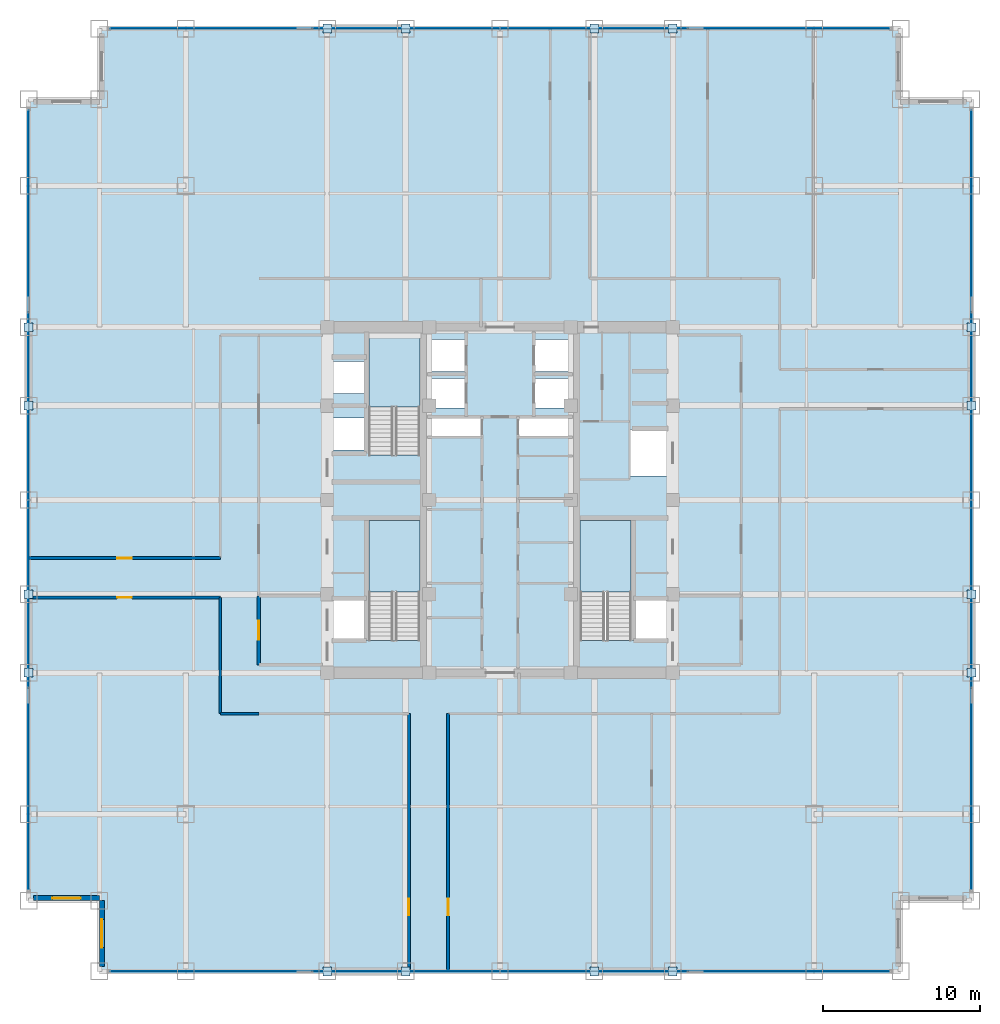
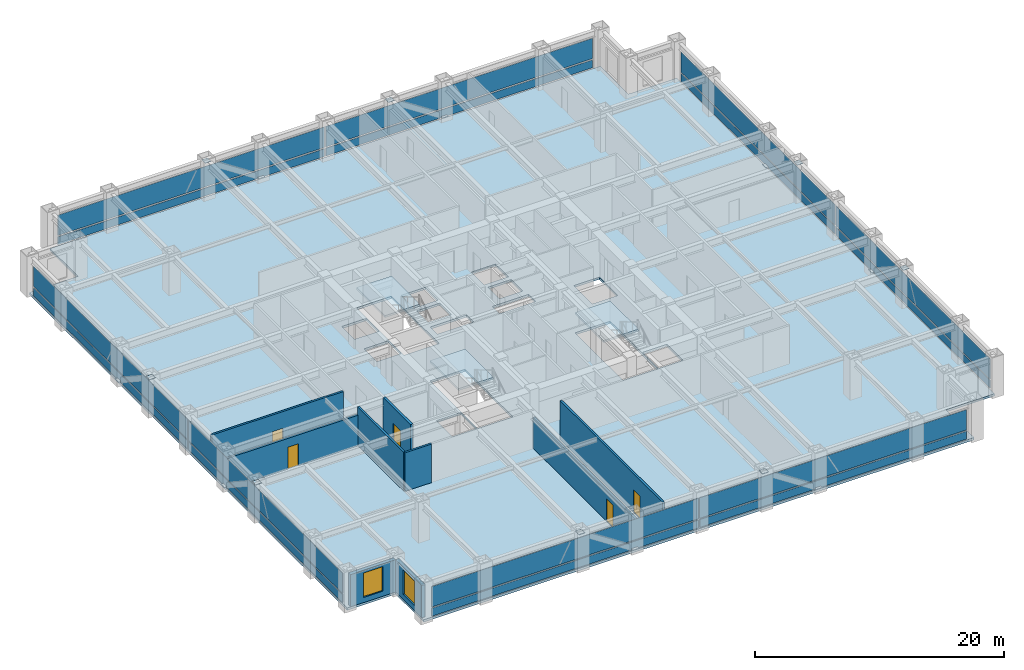
# One storey, part 19 of 24: 32 plates, 9 walls, 5 doors, 4 slabs, 2 windows, 7 openings, 7 elements without a shape of their own.
"""IFC4 building model written with IfcOpenShell, lengths in metres."""

import ifcopenshell
import ifcopenshell.guid

model = None  # the IFC model being written
_history = None  # IfcOwnerHistory: only IFC2X3 demands one
_inside = {}  # id of a spatial element -> (the spatial element, [elements in it])
_under = {}  # id of a project, library or spatial element -> (it, [spatial elements below it])
_declared = {}  # id of a project -> (the project, [libraries it declares])
_typed = {}  # id of a type object -> (the type object, [elements of that type])
_made_of = {}  # id of a material, layer set ... -> (it, [elements and type objects made of it])


def new_model(schema):
    """Start an empty IFC model of exactly this schema.

    Asked for "IFC4X3", IfcOpenShell would pick the latest addendum, in which some entities
    have other attributes; the version numbers below select the first issue.
    IFC2X3 requires an IfcOwnerHistory on every rooted entity: one is made here for all.
    """
    global model, _history
    if schema == "IFC4X3":
        model = ifcopenshell.file(schema_version=(4, 3, 0, 0))
    else:
        model = ifcopenshell.file(schema=schema)
    _inside.clear()
    _under.clear()
    _declared.clear()
    _typed.clear()
    _made_of.clear()
    _history = None
    if model.schema == "IFC2X3":
        org = make("IfcOrganization", Name="unknown")
        user = make(
            "IfcPersonAndOrganization",
            ThePerson=make("IfcPerson", FamilyName="unknown"),
            TheOrganization=org,
        )
        app = make(
            "IfcApplication",
            ApplicationDeveloper=org,
            Version="unknown",
            ApplicationFullName="unknown",
            ApplicationIdentifier="unknown",
        )
        _history = make(
            "IfcOwnerHistory",
            OwningUser=user,
            OwningApplication=app,
            ChangeAction="ADDED",
            CreationDate=0,
        )
    return model


def make(cls, **values):
    """One entity of the class cls with the attributes given. An attribute that is None is left unset."""
    return model.create_entity(
        cls, **{name: value for name, value in values.items() if value is not None}
    )


def rooted(cls, **values):
    """An entity with a GlobalId (a new one), such as an element, a storey or a relation."""
    return make(cls, GlobalId=ifcopenshell.guid.new(), OwnerHistory=_history, **values)


def si_unit(unit_type, name, prefix=None):
    """IfcSIUnit, for example si_unit("LENGTHUNIT", "METRE", prefix="MILLI")."""
    return make("IfcSIUnit", UnitType=unit_type, Prefix=prefix, Name=name)


def assignment(units):
    """IfcUnitAssignment: the units of a project."""
    return None if units is None else make("IfcUnitAssignment", Units=units)


def point(xyz):
    """IfcCartesianPoint."""
    return None if xyz is None else make("IfcCartesianPoint", Coordinates=xyz)


def direction(xyz):
    """IfcDirection."""
    return None if xyz is None else make("IfcDirection", DirectionRatios=xyz)


def frame(location, z_axis=None, x_axis=None):
    """IfcAxis2Placement3D, a coordinate frame: its origin and axes. An axis left out is left unset."""
    return make(
        "IfcAxis2Placement3D",
        Location=point(location),
        Axis=direction(z_axis),
        RefDirection=direction(x_axis),
    )


def frame_2d(location, x_axis=None):
    """IfcAxis2Placement2D, a coordinate frame in the plane: its origin and x axis."""
    return make(
        "IfcAxis2Placement2D", Location=point(location), RefDirection=direction(x_axis)
    )


def origin():
    """The frame at (0, 0, 0) with its axes left unset."""
    return frame((0.0, 0.0, 0.0))


def origin_2d():
    """The frame at (0, 0) in the plane with its x axis left unset."""
    return frame_2d((0.0, 0.0))


def place(relative_to, where):
    """IfcLocalPlacement: puts the frame where relative to a parent placement (None: the world)."""
    return make(
        "IfcLocalPlacement", PlacementRelTo=relative_to, RelativePlacement=where
    )


def context(
    kind, dimensions, precision=None, world=None, true_north=None, identifier=None
):
    """IfcGeometricRepresentationContext, for example the 3D "Model" context."""
    return make(
        "IfcGeometricRepresentationContext",
        ContextIdentifier=identifier,
        ContextType=kind,
        CoordinateSpaceDimension=dimensions,
        Precision=precision,
        WorldCoordinateSystem=world,
        TrueNorth=true_north,
    )


def subcontext(parent, identifier, kind, view, scale=None):
    """IfcGeometricRepresentationSubContext, for example "Body" below "Model"."""
    return make(
        "IfcGeometricRepresentationSubContext",
        ContextIdentifier=identifier,
        ContextType=kind,
        ParentContext=parent,
        TargetScale=scale,
        TargetView=view,
    )


def project(units=None, contexts=None):
    """IfcProject with its units and contexts."""
    return rooted(
        "IfcProject",
        Name="project",
        RepresentationContexts=contexts,
        UnitsInContext=assignment(units),
    )


def spatial(cls, under=None, at=None, **own):
    """A site, building, storey or space (cls), placed at a placement, below another one or the project."""
    s = rooted(cls, ObjectPlacement=at, **own)
    if under is not None:
        _under.setdefault(under.id(), (under, []))[1].append(s)
    return s


def polyline(points):
    """IfcPolyline through the points."""
    return make("IfcPolyline", Points=[point(p) for p in points])


def profile(cls, at=None, kind="AREA", **sizes):
    """A parametric profile (cls). Its sizes go by their IFC names, for example OverallWidth=200.0."""
    return make(cls, ProfileType=kind, Position=at, **sizes)


def rectangle(**sizes):
    """IfcRectangleProfileDef."""
    return profile("IfcRectangleProfileDef", **sizes)


def outline(outer, holes=None, kind="AREA"):
    """IfcArbitraryClosedProfileDef: a profile drawn as a closed curve; with holes, ...WithVoids."""
    if holes is None:
        return make("IfcArbitraryClosedProfileDef", ProfileType=kind, OuterCurve=outer)
    return make(
        "IfcArbitraryProfileDefWithVoids",
        ProfileType=kind,
        OuterCurve=outer,
        InnerCurves=holes,
    )


def extrude(swept, where, along, depth):
    """IfcExtrudedAreaSolid: the profile swept, set in the frame where, extruded along a direction by depth."""
    return make(
        "IfcExtrudedAreaSolid",
        SweptArea=swept,
        Position=where,
        ExtrudedDirection=direction(along),
        Depth=depth,
    )


def shape(context_of_items, identifier, shape_type, items):
    """IfcShapeRepresentation: the items that make up one representation, for example the "Body"."""
    return make(
        "IfcShapeRepresentation",
        ContextOfItems=context_of_items,
        RepresentationIdentifier=identifier,
        RepresentationType=shape_type,
        Items=items,
    )


def source(mapping_origin, context_of_items, identifier, shape_type, items):
    """IfcRepresentationMap: a shape defined once, which mapped items show again and again."""
    return make(
        "IfcRepresentationMap",
        MappingOrigin=mapping_origin,
        MappedRepresentation=shape(context_of_items, identifier, shape_type, items),
    )


def transform(
    local_origin,
    x_axis=None,
    y_axis=None,
    z_axis=None,
    scale=None,
    scale2=None,
    scale3=None,
    uniform=True,
):
    """IfcCartesianTransformationOperator3D, or its non-uniform kind. x_axis, y_axis, z_axis: its Axis1, 2, 3."""
    if uniform:
        return make(
            "IfcCartesianTransformationOperator3D",
            Axis1=direction(x_axis),
            Axis2=direction(y_axis),
            LocalOrigin=point(local_origin),
            Scale=scale,
            Axis3=direction(z_axis),
        )
    return make(
        "IfcCartesianTransformationOperator3DnonUniform",
        Axis1=direction(x_axis),
        Axis2=direction(y_axis),
        LocalOrigin=point(local_origin),
        Scale=scale,
        Axis3=direction(z_axis),
        Scale2=scale2,
        Scale3=scale3,
    )


def mapped(mapping_source, mapping_target):
    """IfcMappedItem: shows the shape of a source again, moved by a transform."""
    return make(
        "IfcMappedItem", MappingSource=mapping_source, MappingTarget=mapping_target
    )


def material(Name=None, Category=None):
    """IfcMaterial."""
    return make("IfcMaterial", Name=Name, Category=Category)


def layer(
    of_material, thickness, ventilated=None, Name=None, Category=None, Priority=None
):
    """IfcMaterialLayer: one layer of a wall or slab, of a material (None: an air gap)."""
    return make(
        "IfcMaterialLayer",
        Material=of_material,
        LayerThickness=thickness,
        IsVentilated=ventilated,
        Name=Name,
        Category=Category,
        Priority=Priority,
    )


def layer_set(layers, Name=None):
    """IfcMaterialLayerSet."""
    return make("IfcMaterialLayerSet", MaterialLayers=layers, LayerSetName=Name)


def made_of(thing, what):
    """Note that an element or type object is made of a material, layer set ...; save() writes the relation."""
    if what is not None:
        _made_of.setdefault(what.id(), (what, []))[1].append(thing)
    return thing


def type_object(cls, material=None, **own):
    """A type object (cls), such as IfcWallType, which elements share."""
    return made_of(rooted(cls, **own), material)


def element(
    cls,
    number,
    at=None,
    inside=None,
    cuts=None,
    type_object=None,
    material=None,
    context=None,
    identifier="Body",
    shape_type=None,
    held_by="IfcProductDefinitionShape",
    body=None,
    shapes=None,
    **own,
):
    """One element of the class cls, such as IfcWall. Its Tag is "e" and its number.

    at: its placement. inside: the storey or other place that contains it. cuts: it is an
    opening in that element (IfcRelVoidsElement). A single representation is given by context,
    identifier, shape_type and body (its items); several are given by shapes. held_by: the class
    of the entity that holds the representations. save() writes the other relations.
    """
    e = rooted(cls, Tag="e%d" % number, ObjectPlacement=at, **own)
    if body is not None:
        shapes = [shape(context, identifier, shape_type, body)]
    if shapes is not None:
        e.Representation = make(held_by, Representations=shapes)
    if inside is not None:
        _inside.setdefault(inside.id(), (inside, []))[1].append(e)
    if cuts is not None:
        rooted(
            "IfcRelVoidsElement", RelatingBuildingElement=cuts, RelatedOpeningElement=e
        )
    if type_object is not None:
        _typed.setdefault(type_object.id(), (type_object, []))[1].append(e)
    return made_of(e, material)


def fill(opening, filler):
    """IfcRelFillsElement: the door or window that sits in an opening."""
    return rooted(
        "IfcRelFillsElement",
        RelatingOpeningElement=opening,
        RelatedBuildingElement=filler,
    )


def aggregate(whole, parts):
    """IfcRelAggregates: a whole, such as a stair, and the parts it consists of."""
    return rooted("IfcRelAggregates", RelatingObject=whole, RelatedObjects=parts)


def save(model, path):
    """Write the relations noted so far, then the file.

    IfcRelAggregates (storeys below a building ...), IfcRelContainedInSpatialStructure (elements
    in a storey), IfcRelDefinesByType, IfcRelAssociatesMaterial and IfcRelDeclares: one each for
    every whole, place, type object, material and project.
    """
    for whole, parts in _under.values():
        aggregate(whole, parts)
    for where, things in _inside.values():
        rooted(
            "IfcRelContainedInSpatialStructure",
            RelatedElements=things,
            RelatingStructure=where,
        )
    for kind, things in _typed.values():
        rooted("IfcRelDefinesByType", RelatedObjects=things, RelatingType=kind)
    for what, things in _made_of.values():
        rooted("IfcRelAssociatesMaterial", RelatedObjects=things, RelatingMaterial=what)
    for by, libraries in _declared.values():
        rooted("IfcRelDeclares", RelatingContext=by, RelatedDefinitions=libraries)
    model.write(path)


model = new_model("IFC4")

# Units and contexts
model_context = context("Model", 3, precision=1e-05, world=origin(), true_north=direction((0.0, 1.0)))
body_context = subcontext(model_context, "Body", "Model", "MODEL_VIEW")
ifc_project = project(units=[si_unit("LENGTHUNIT", "METRE"), si_unit("AREAUNIT", "SQUARE_METRE"), si_unit("VOLUMEUNIT", "CUBIC_METRE"), si_unit("PLANEANGLEUNIT", "RADIAN"), si_unit("MASSUNIT", "GRAM", prefix="KILO")], contexts=[model_context])

# Site, building, storey
site_placement = place(None, origin())
site = spatial("IfcSite", under=ifc_project, at=site_placement, CompositionType="ELEMENT")
building_placement = place(site_placement, origin())
building = spatial("IfcBuilding", under=site, at=building_placement, Name="Khorayat Bourse Tower", CompositionType="ELEMENT")
storey_placement = place(building_placement, frame((0.0, 0.0, 167.10009765625)))
storey = spatial("IfcBuildingStorey", under=building, at=storey_placement, Name="L38", CompositionType="ELEMENT", Elevation=167.10009765625)

# Stair, slab
ifc_material_1 = material(Name="Concrete C40/50", Category="concrete")
stair_type = type_object("IfcStairType", Name="STR-CORE-1550", PredefinedType="HALF_TURN_STAIR", material=ifc_material_1)
stair_1_placement = place(storey_placement, origin())
stair_1 = element("IfcStair", 1, at=stair_1_placement, inside=storey, type_object=stair_type, Name="L38 Exit Stair ST-1", PredefinedType="HALF_TURN_STAIR")
ifc_layer_1 = layer(ifc_material_1, 0.199951171875)
ifc_layer_set_1 = layer_set([ifc_layer_1], Name="Concrete C40/50")
slab_type_1 = type_object("IfcSlabType", Name="SLB-LANDING-200", PredefinedType="LANDING", material=ifc_layer_set_1)
slab_1_placement = place(storey_placement, frame((0.0, 0.0, 1.7998046875)))
slab_1 = element("IfcSlab", 2, at=slab_1_placement, type_object=slab_type_1, Name="ST-1 landing 1", PredefinedType="LANDING", context=body_context, shape_type="SweptSolid", body=[
    extrude(outline(polyline([(-5.10009765625, -5.8701171875), (-5.10009765625, -1.300048828125), (-8.35009765625, -1.300048828125), (-8.35009765625, -5.8701171875), (-5.10009765625, -5.8701171875)])), origin(), (0.0, 0.0, 1.0), 0.2001953125),
])
aggregate(stair_1, [slab_1])

stair_2_placement = place(storey_placement, origin())
stair_2 = element("IfcStair", 3, at=stair_2_placement, inside=storey, type_object=stair_type, Name="L38 Exit Stair ST-2", PredefinedType="HALF_TURN_STAIR")
slab_2_placement = place(storey_placement, frame((0.0, 0.0, 1.7998046875)))
slab_2 = element("IfcSlab", 4, at=slab_2_placement, type_object=slab_type_1, Name="ST-2 landing 1", PredefinedType="LANDING", context=body_context, shape_type="SweptSolid", body=[
    extrude(outline(polyline([(-5.10009765625, 5.929931640625), (-5.10009765625, 10.5), (-8.35009765625, 10.5), (-8.35009765625, 5.929931640625), (-5.10009765625, 5.929931640625)])), origin(), (0.0, 0.0, 1.0), 0.2001953125),
])
aggregate(stair_2, [slab_2])

stair_3_placement = place(storey_placement, origin())
stair_3 = element("IfcStair", 5, at=stair_3_placement, inside=storey, type_object=stair_type, Name="L38 Exit Stair ST-3", PredefinedType="HALF_TURN_STAIR")
slab_3_placement = place(storey_placement, frame((0.0, 0.0, 1.7998046875)))
slab_3 = element("IfcSlab", 6, at=slab_3_placement, type_object=slab_type_1, Name="ST-3 landing 1", PredefinedType="LANDING", context=body_context, shape_type="SweptSolid", body=[
    extrude(outline(polyline([(8.35009765625, -5.8701171875), (8.35009765625, -1.300048828125), (5.10009765625, -1.300048828125), (5.10009765625, -5.8701171875), (8.35009765625, -5.8701171875)])), origin(), (0.0, 0.0, 1.0), 0.2001953125),
])
aggregate(stair_3, [slab_3])

# Slab
ifc_layer_2 = layer(ifc_material_1, 0.219970703125)
ifc_layer_set_2 = layer_set([ifc_layer_2], Name="Concrete C40/50")
slab_type_2 = type_object("IfcSlabType", Name="SLB-OFFICE-220", PredefinedType="FLOOR", material=ifc_layer_set_2)
slab_4_placement = place(storey_placement, frame((0.0, 0.0, -0.22021484375)))
element("IfcSlab", 7, at=slab_4_placement, inside=storey, type_object=slab_type_2, Name="L38 Main Floor Slab", PredefinedType="FLOOR", context=body_context, shape_type="SweptSolid", body=[
    extrude(outline(polyline([(-25.5, -30.0), (25.5, -30.0), (25.5, -25.5), (30.0, -25.5), (30.0, 25.5), (25.5, 25.5), (25.5, 30.0), (-25.5, 30.0), (-25.5, 25.5), (-30.0, 25.5), (-30.0, -25.5), (-25.5, -25.5), (-25.5, -30.0)]), holes=[polyline([(-8.35009765625, -8.945068359375), (-5.10009765625, -8.945068359375), (-5.10009765625, -1.300048828125), (-8.35009765625, -1.300048828125), (-8.35009765625, -8.945068359375)]), polyline([(-8.35009765625, 2.85498046875), (-5.10009765625, 2.85498046875), (-5.10009765625, 10.5), (-8.35009765625, 10.5), (-8.35009765625, 2.85498046875)]), polyline([(5.10009765625, -8.945068359375), (8.35009765625, -8.945068359375), (8.35009765625, -1.300048828125), (5.10009765625, -1.300048828125), (5.10009765625, -8.945068359375)]), polyline([(-4.3798828125, 8.169921875), (-2.1201171875, 8.169921875), (-2.1201171875, 10.22998046875), (-4.3798828125, 10.22998046875), (-4.3798828125, 8.169921875)]), polyline([(2.1201171875, 8.169921875), (4.3798828125, 8.169921875), (4.3798828125, 10.22998046875), (2.1201171875, 10.22998046875), (2.1201171875, 8.169921875)]), polyline([(-4.3798828125, 5.8701171875), (-2.219970703125, 5.8701171875), (-2.219970703125, 7.72998046875), (-4.3798828125, 7.72998046875), (-4.3798828125, 5.8701171875)]), polyline([(2.219970703125, 5.8701171875), (4.3798828125, 5.8701171875), (4.3798828125, 7.72998046875), (2.219970703125, 7.72998046875), (2.219970703125, 5.8701171875)]), polyline([(-10.679931640625, 3.169921875), (-8.419921875, 3.169921875), (-8.419921875, 5.22998046875), (-10.679931640625, 5.22998046875), (-10.679931640625, 3.169921875)]), polyline([(-10.679931640625, 6.77001953125), (-8.419921875, 6.77001953125), (-8.419921875, 8.830078125), (-10.679931640625, 8.830078125), (-10.679931640625, 6.77001953125)]), polyline([(-10.679931640625, -8.929931640625), (-8.419921875, -8.929931640625), (-8.419921875, -6.3701171875), (-10.679931640625, -6.3701171875), (-10.679931640625, -8.929931640625)]), polyline([(8.419921875, -8.929931640625), (10.679931640625, -8.929931640625), (10.679931640625, -6.3701171875), (8.419921875, -6.3701171875), (8.419921875, -8.929931640625)]), polyline([(8.320068359375, 1.52001953125), (10.679931640625, 1.52001953125), (10.679931640625, 4.47998046875), (8.320068359375, 4.47998046875), (8.320068359375, 1.52001953125)]), polyline([(-4.56005859375, 4.080078125), (-1.18994140625, 4.080078125), (-1.18994140625, 5.219970703125), (-4.56005859375, 5.219970703125), (-4.56005859375, 4.080078125)]), polyline([(1.18994140625, 4.080078125), (4.56005859375, 4.080078125), (4.56005859375, 5.219970703125), (1.18994140625, 5.219970703125), (1.18994140625, 4.080078125)])]), origin(), (0.0, 0.0, 1.0), 0.22021484375),
])

# Plates
ifc_material_2 = material(Name="Steel EN 10025-2 S355J2", Category="steel")
ifc_layer_3 = layer(ifc_material_2, 0.02490234375)
ifc_layer_set_3 = layer_set([ifc_layer_3], Name="Steel EN 10025-2 S355J2")
plate_type_1 = type_object("IfcPlateType", Name="PLT-ENDCAP-25", PredefinedType="SHEET", material=ifc_layer_set_3)
shared_shape_1 = source(origin(), body_context, "Body", "SweptSolid", [
    extrude(rectangle(XDim=0.56005859375, YDim=0.56005859375, at=origin_2d()), origin(), (0.0, 0.0, 1.0), 0.02490234375),
])
for number, where, z_axis, x_axis, name in (
    (8, (-11.0, -30.0, 3.517333984375), (0.0, 0.0, 1.0), (1.0, 0.0, 0.0), "L38 Perimeter Brace End Plate 001"),
    (9, (-6.0, -30.0, 0.237548828125), (0.0, 0.0, 1.0), (1.0, 0.0, 0.0), "L38 Perimeter Brace End Plate 002"),
    (10, (6.0, -30.0, 3.517333984375), (0.0, 0.0, 1.0), (1.0, 0.0, 0.0), "L38 Perimeter Brace End Plate 003"),
    (11, (11.0, -30.0, 0.237548828125), (0.0, 0.0, 1.0), (1.0, 0.0, 0.0), "L38 Perimeter Brace End Plate 004"),
    (12, (-11.0, 30.0, 3.517333984375), (0.0, 0.0, 1.0), (1.0, 0.0, 0.0), "L38 Perimeter Brace End Plate 005"),
    (13, (-6.0, 30.0, 0.237548828125), (0.0, 0.0, 1.0), (1.0, 0.0, 0.0), "L38 Perimeter Brace End Plate 006"),
    (14, (6.0, 30.0, 3.517333984375), (0.0, 0.0, 1.0), (1.0, 0.0, 0.0), "L38 Perimeter Brace End Plate 007"),
    (15, (11.0, 30.0, 0.237548828125), (0.0, 0.0, 1.0), (1.0, 0.0, 0.0), "L38 Perimeter Brace End Plate 008"),
    (16, (-30.0, -11.0, 3.517333984375), (0.0, 0.0, 1.0), (1.0, 0.0, 0.0), "L38 Perimeter Brace End Plate 009"),
    (17, (-30.0, -6.0, 0.237548828125), (0.0, 0.0, 1.0), (1.0, 0.0, 0.0), "L38 Perimeter Brace End Plate 010"),
    (18, (-30.0, 6.0, 3.517333984375), (0.0, 0.0, 1.0), (1.0, 0.0, 0.0), "L38 Perimeter Brace End Plate 011"),
    (19, (-30.0, 11.0, 0.237548828125), (0.0, 0.0, 1.0), (1.0, 0.0, 0.0), "L38 Perimeter Brace End Plate 012"),
    (20, (30.0, -11.0, 3.517333984375), (0.0, 0.0, 1.0), (1.0, 0.0, 0.0), "L38 Perimeter Brace End Plate 013"),
    (21, (30.0, -6.0, 0.237548828125), (0.0, 0.0, 1.0), (1.0, 0.0, 0.0), "L38 Perimeter Brace End Plate 014"),
    (22, (30.0, 6.0, 3.517333984375), (0.0, 0.0, 1.0), (1.0, 0.0, 0.0), "L38 Perimeter Brace End Plate 015"),
    (23, (30.0, 11.0, 0.237548828125), (0.0, 0.0, 1.0), (1.0, 0.0, 0.0), "L38 Perimeter Brace End Plate 016"),
):
    element("IfcPlate", number, at=place(storey_placement, frame(where, z_axis=z_axis, x_axis=x_axis)), inside=storey, type_object=plate_type_1, Name=name, PredefinedType="SHEET", context=body_context, shape_type="MappedRepresentation", body=[
        mapped(shared_shape_1, transform((0.0, 0.0, 0.0), scale=1.0)),
    ])

# Curtain wall, plates
ifc_material_3 = material(Name="Aluminium EN AW-6063 T6", Category="aluminium")
curtain_wall_type = type_object("IfcCurtainWallType", Name="CW-SYS-03", PredefinedType="NOTDEFINED", material=ifc_material_3)
curtain_wall_1_placement = place(storey_placement, origin())
curtain_wall_1 = element("IfcCurtainWall", 24, at=curtain_wall_1_placement, inside=storey, type_object=curtain_wall_type, Name="L38 Curtain Wall CW-L38-S1", PredefinedType="NOTDEFINED")
ifc_material_4 = material(Name="Honed desert limestone insulated spandrel", Category="masonry")
ifc_layer_4 = layer(ifc_material_4, 0.06494140625)
ifc_layer_set_4 = layer_set([ifc_layer_4], Name="Honed desert limestone insulated spandrel")
plate_type_2 = type_object("IfcPlateType", Name="CWP-SPAND-03", PredefinedType="CURTAIN_PANEL", material=ifc_layer_set_4)
shared_shape_2 = source(origin(), body_context, "Body", "SweptSolid", [
    extrude(rectangle(XDim=24.719970703125, YDim=0.06494140625, at=origin_2d()), origin(), (0.0, 0.0, 1.0), 0.77001953125),
])
plate_1_placement = place(storey_placement, frame((-12.419921875, -30.0, 0.119873046875), z_axis=(0.0, 0.0, 1.0), x_axis=(1.0, 0.0, 0.0)))
plate_1 = element("IfcPlate", 25, at=plate_1_placement, type_object=plate_type_2, Name="CW-L38-S1 Spandrel Panel 1-1", PredefinedType="CURTAIN_PANEL", context=body_context, shape_type="MappedRepresentation", body=[
    mapped(shared_shape_2, transform((0.0, 0.0, 0.0), scale=1.0)),
])
plate_2_placement = place(storey_placement, frame((12.419921875, -30.0, 0.119873046875), z_axis=(0.0, 0.0, 1.0), x_axis=(1.0, 0.0, 0.0)))
plate_2 = element("IfcPlate", 26, at=plate_2_placement, type_object=plate_type_2, Name="CW-L38-S1 Spandrel Panel 2-1", PredefinedType="CURTAIN_PANEL", context=body_context, shape_type="MappedRepresentation", body=[
    mapped(shared_shape_2, transform((0.0, 0.0, 0.0), scale=1.0)),
])

curtain_wall_2_placement = place(storey_placement, origin())
curtain_wall_2 = element("IfcCurtainWall", 27, at=curtain_wall_2_placement, inside=storey, type_object=curtain_wall_type, Name="L38 Curtain Wall CW-L38-N1", PredefinedType="NOTDEFINED")
plate_3_placement = place(storey_placement, frame((-12.419921875, 30.0, 0.119873046875), z_axis=(0.0, 0.0, 1.0), x_axis=(1.0, 0.0, 0.0)))
plate_3 = element("IfcPlate", 28, at=plate_3_placement, type_object=plate_type_2, Name="CW-L38-N1 Spandrel Panel 1-1", PredefinedType="CURTAIN_PANEL", context=body_context, shape_type="MappedRepresentation", body=[
    mapped(shared_shape_2, transform((0.0, 0.0, 0.0), scale=1.0)),
])
plate_4_placement = place(storey_placement, frame((12.419921875, 30.0, 0.119873046875), z_axis=(0.0, 0.0, 1.0), x_axis=(1.0, 0.0, 0.0)))
plate_4 = element("IfcPlate", 29, at=plate_4_placement, type_object=plate_type_2, Name="CW-L38-N1 Spandrel Panel 2-1", PredefinedType="CURTAIN_PANEL", context=body_context, shape_type="MappedRepresentation", body=[
    mapped(shared_shape_2, transform((0.0, 0.0, 0.0), scale=1.0)),
])

curtain_wall_3_placement = place(storey_placement, origin())
curtain_wall_3 = element("IfcCurtainWall", 30, at=curtain_wall_3_placement, inside=storey, type_object=curtain_wall_type, Name="L38 Curtain Wall CW-L38-W1", PredefinedType="NOTDEFINED")
plate_5_placement = place(storey_placement, frame((-30.0, -12.419921875, 0.119873046875), z_axis=(0.0, 0.0, 1.0), x_axis=(0.0, 1.0, 0.0)))
plate_5 = element("IfcPlate", 31, at=plate_5_placement, type_object=plate_type_2, Name="CW-L38-W1 Spandrel Panel 1-1", PredefinedType="CURTAIN_PANEL", context=body_context, shape_type="MappedRepresentation", body=[
    mapped(shared_shape_2, transform((0.0, 0.0, 0.0), scale=1.0)),
])
plate_6_placement = place(storey_placement, frame((-30.0, 12.419921875, 0.119873046875), z_axis=(0.0, 0.0, 1.0), x_axis=(0.0, 1.0, 0.0)))
plate_6 = element("IfcPlate", 32, at=plate_6_placement, type_object=plate_type_2, Name="CW-L38-W1 Spandrel Panel 2-1", PredefinedType="CURTAIN_PANEL", context=body_context, shape_type="MappedRepresentation", body=[
    mapped(shared_shape_2, transform((0.0, 0.0, 0.0), scale=1.0)),
])

curtain_wall_4_placement = place(storey_placement, origin())
curtain_wall_4 = element("IfcCurtainWall", 33, at=curtain_wall_4_placement, inside=storey, type_object=curtain_wall_type, Name="L38 Curtain Wall CW-L38-E1", PredefinedType="NOTDEFINED")
plate_7_placement = place(storey_placement, frame((30.0, -12.419921875, 0.119873046875), z_axis=(0.0, 0.0, 1.0), x_axis=(0.0, 1.0, 0.0)))
plate_7 = element("IfcPlate", 34, at=plate_7_placement, type_object=plate_type_2, Name="CW-L38-E1 Spandrel Panel 1-1", PredefinedType="CURTAIN_PANEL", context=body_context, shape_type="MappedRepresentation", body=[
    mapped(shared_shape_2, transform((0.0, 0.0, 0.0), scale=1.0)),
])
plate_8_placement = place(storey_placement, frame((30.0, 12.419921875, 0.119873046875), z_axis=(0.0, 0.0, 1.0), x_axis=(0.0, 1.0, 0.0)))
plate_8 = element("IfcPlate", 35, at=plate_8_placement, type_object=plate_type_2, Name="CW-L38-E1 Spandrel Panel 2-1", PredefinedType="CURTAIN_PANEL", context=body_context, shape_type="MappedRepresentation", body=[
    mapped(shared_shape_2, transform((0.0, 0.0, 0.0), scale=1.0)),
])

# Plate
ifc_material_5 = material(Name="Low-E solar-control laminated double glazing", Category="glass")
ifc_layer_5 = layer(ifc_material_5, 0.035888671875)
ifc_layer_set_5 = layer_set([ifc_layer_5], Name="Low-E solar-control laminated double glazing")
plate_type_3 = type_object("IfcPlateType", Name="CWP-VIS-01", PredefinedType="CURTAIN_PANEL", material=ifc_layer_set_5)
shared_shape_3 = source(origin(), body_context, "Body", "SweptSolid", [
    extrude(rectangle(XDim=24.719970703125, YDim=0.035888671875, at=origin_2d()), origin(), (0.0, 0.0, 1.0), 2.0),
])
plate_9_placement = place(storey_placement, frame((-12.419921875, -30.0, 1.010009765625), z_axis=(0.0, 0.0, 1.0), x_axis=(1.0, 0.0, 0.0)))
plate_9 = element("IfcPlate", 36, at=plate_9_placement, type_object=plate_type_3, Name="CW-L38-S1 Vision Panel 1-2", PredefinedType="CURTAIN_PANEL", context=body_context, shape_type="MappedRepresentation", body=[
    mapped(shared_shape_3, transform((0.0, 0.0, 0.0), scale=1.0)),
])

plate_10_placement = place(storey_placement, frame((12.419921875, -30.0, 1.010009765625), z_axis=(0.0, 0.0, 1.0), x_axis=(1.0, 0.0, 0.0)))
plate_10 = element("IfcPlate", 37, at=plate_10_placement, type_object=plate_type_3, Name="CW-L38-S1 Vision Panel 2-2", PredefinedType="CURTAIN_PANEL", context=body_context, shape_type="MappedRepresentation", body=[
    mapped(shared_shape_3, transform((0.0, 0.0, 0.0), scale=1.0)),
])

aggregate(curtain_wall_1, [plate_1, plate_9, plate_2, plate_10])

plate_11_placement = place(storey_placement, frame((-12.419921875, 30.0, 1.010009765625), z_axis=(0.0, 0.0, 1.0), x_axis=(1.0, 0.0, 0.0)))
plate_11 = element("IfcPlate", 38, at=plate_11_placement, type_object=plate_type_3, Name="CW-L38-N1 Vision Panel 1-2", PredefinedType="CURTAIN_PANEL", context=body_context, shape_type="MappedRepresentation", body=[
    mapped(shared_shape_3, transform((0.0, 0.0, 0.0), scale=1.0)),
])

plate_12_placement = place(storey_placement, frame((12.419921875, 30.0, 1.010009765625), z_axis=(0.0, 0.0, 1.0), x_axis=(1.0, 0.0, 0.0)))
plate_12 = element("IfcPlate", 39, at=plate_12_placement, type_object=plate_type_3, Name="CW-L38-N1 Vision Panel 2-2", PredefinedType="CURTAIN_PANEL", context=body_context, shape_type="MappedRepresentation", body=[
    mapped(shared_shape_3, transform((0.0, 0.0, 0.0), scale=1.0)),
])

aggregate(curtain_wall_2, [plate_3, plate_11, plate_4, plate_12])

plate_13_placement = place(storey_placement, frame((-30.0, -12.419921875, 1.010009765625), z_axis=(0.0, 0.0, 1.0), x_axis=(0.0, 1.0, 0.0)))
plate_13 = element("IfcPlate", 40, at=plate_13_placement, type_object=plate_type_3, Name="CW-L38-W1 Vision Panel 1-2", PredefinedType="CURTAIN_PANEL", context=body_context, shape_type="MappedRepresentation", body=[
    mapped(shared_shape_3, transform((0.0, 0.0, 0.0), scale=1.0)),
])

plate_14_placement = place(storey_placement, frame((-30.0, 12.419921875, 1.010009765625), z_axis=(0.0, 0.0, 1.0), x_axis=(0.0, 1.0, 0.0)))
plate_14 = element("IfcPlate", 41, at=plate_14_placement, type_object=plate_type_3, Name="CW-L38-W1 Vision Panel 2-2", PredefinedType="CURTAIN_PANEL", context=body_context, shape_type="MappedRepresentation", body=[
    mapped(shared_shape_3, transform((0.0, 0.0, 0.0), scale=1.0)),
])

aggregate(curtain_wall_3, [plate_5, plate_13, plate_6, plate_14])

plate_15_placement = place(storey_placement, frame((30.0, -12.419921875, 1.010009765625), z_axis=(0.0, 0.0, 1.0), x_axis=(0.0, 1.0, 0.0)))
plate_15 = element("IfcPlate", 42, at=plate_15_placement, type_object=plate_type_3, Name="CW-L38-E1 Vision Panel 1-2", PredefinedType="CURTAIN_PANEL", context=body_context, shape_type="MappedRepresentation", body=[
    mapped(shared_shape_3, transform((0.0, 0.0, 0.0), scale=1.0)),
])

plate_16_placement = place(storey_placement, frame((30.0, 12.419921875, 1.010009765625), z_axis=(0.0, 0.0, 1.0), x_axis=(0.0, 1.0, 0.0)))
plate_16 = element("IfcPlate", 43, at=plate_16_placement, type_object=plate_type_3, Name="CW-L38-E1 Vision Panel 2-2", PredefinedType="CURTAIN_PANEL", context=body_context, shape_type="MappedRepresentation", body=[
    mapped(shared_shape_3, transform((0.0, 0.0, 0.0), scale=1.0)),
])

aggregate(curtain_wall_4, [plate_7, plate_15, plate_8, plate_16])

# Wall, opening, window
ifc_material_6 = material(Name="Precast concrete C45/55", Category="concrete")
ifc_layer_6 = layer(ifc_material_6, 0.320068359375)
ifc_layer_set_6 = layer_set([ifc_layer_6], Name="Precast concrete C45/55")
wall_type_1 = type_object("IfcWallType", Name="WAL-EXT-STONE-320", PredefinedType="STANDARD", material=ifc_layer_set_6)
shared_shape_4 = source(origin(), body_context, "Body", "SweptSolid", [
    extrude(rectangle(XDim=4.179931640625, YDim=0.320068359375, at=frame_2d((2.08984375, 0.0))), origin(), (0.0, 0.0, 1.0), 3.163818359375),
])
wall_1_placement = place(storey_placement, frame((-25.5, -25.340087890625, 0.0), z_axis=(0.0, 0.0, 1.0), x_axis=(-1.0, 0.0, 0.0)))
wall_1 = element("IfcWall", 44, at=wall_1_placement, inside=storey, type_object=wall_type_1, Name="L38 Re-Entrant Notch Limestone Wall SW-H", PredefinedType="STANDARD", context=body_context, shape_type="MappedRepresentation", body=[
    mapped(shared_shape_4, transform((0.0, 0.0, 0.0), scale=1.0)),
])
shared_shape_5 = source(origin(), body_context, "Body", "SweptSolid", [
    extrude(rectangle(XDim=1.800048828125, YDim=2.39990234375, at=frame_2d((0.89990234375, 1.199951171875))), frame((0.0, 0.169921875, 0.0), z_axis=(0.0, -1.0, 0.0), x_axis=(1.0, 0.0, 0.0)), (0.0, 0.0, 1.0), 0.340087890625),
])
opening_1_placement = place(wall_1_placement, frame((1.18994140625, 0.0, 0.5)))
opening_1 = element("IfcOpeningElement", 45, at=opening_1_placement, cuts=wall_1, Name="Opening WN-04", PredefinedType="OPENING", context=body_context, shape_type="MappedRepresentation", body=[
    mapped(shared_shape_5, transform((0.0, 0.0, 0.0), scale=1.0)),
])
ifc_material_7 = material(Name="Low-E acoustic laminated double glazing", Category="glass")
window_type = type_object("IfcWindowType", Name="WIN-NOTCH-1800x2400", PartitioningType="SINGLE_PANEL", PredefinedType="WINDOW", material=ifc_material_7)
shared_shape_6 = source(origin(), body_context, "Body", "SweptSolid", [
    extrude(rectangle(XDim=1.800048828125, YDim=2.39990234375, at=frame_2d((0.89990234375, 1.199951171875))), frame((0.0, 0.030029296875, 0.0), z_axis=(0.0, -1.0, 0.0), x_axis=(1.0, 0.0, 0.0)), (0.0, 0.0, 1.0), 0.06005859375),
])
window_1_placement = place(opening_1_placement, origin())
window_1 = element("IfcWindow", 46, at=window_1_placement, inside=storey, type_object=window_type, Name="L38 Facade Window 1", OverallHeight=2.39990234375, OverallWidth=1.800048828125, PartitioningType="SINGLE_PANEL", PredefinedType="WINDOW", context=body_context, shape_type="MappedRepresentation", body=[
    mapped(shared_shape_6, transform((0.0, 0.0, 0.0), scale=1.0)),
])
fill(opening_1, window_1)

wall_2_placement = place(storey_placement, frame((-25.340087890625, -29.679931640625, 0.0), z_axis=(0.0, 0.0, 1.0), x_axis=(0.0, 1.0, 0.0)))
wall_2 = element("IfcWall", 47, at=wall_2_placement, inside=storey, type_object=wall_type_1, Name="L38 Re-Entrant Notch Limestone Wall SW-V", PredefinedType="STANDARD", context=body_context, shape_type="MappedRepresentation", body=[
    mapped(shared_shape_4, transform((0.0, 0.0, 0.0), scale=1.0)),
])
opening_2_placement = place(wall_2_placement, frame((1.18994140625, 0.0, 0.5)))
opening_2 = element("IfcOpeningElement", 48, at=opening_2_placement, cuts=wall_2, Name="Opening WN-04", PredefinedType="OPENING", context=body_context, shape_type="MappedRepresentation", body=[
    mapped(shared_shape_5, transform((0.0, 0.0, 0.0), scale=1.0)),
])
window_2_placement = place(opening_2_placement, origin())
window_2 = element("IfcWindow", 49, at=window_2_placement, inside=storey, type_object=window_type, Name="L38 Facade Window 1", OverallHeight=2.39990234375, OverallWidth=1.800048828125, PartitioningType="SINGLE_PANEL", PredefinedType="WINDOW", context=body_context, shape_type="MappedRepresentation", body=[
    mapped(shared_shape_6, transform((0.0, 0.0, 0.0), scale=1.0)),
])
fill(opening_2, window_2)

# Wall, opening, door
ifc_material_8 = material(Name="Aerated concrete blockwork", Category="masonry")
ifc_layer_7 = layer(ifc_material_8, 0.219970703125)
ifc_layer_set_7 = layer_set([ifc_layer_7], Name="Aerated concrete blockwork")
wall_type_2 = type_object("IfcWallType", Name="WAL-PART-FF-220", PredefinedType="PARTITIONING", material=ifc_layer_set_7)
shared_shape_7 = source(origin(), body_context, "Body", "SweptSolid", [
    extrude(rectangle(XDim=4.39990234375, YDim=0.219970703125, at=frame_2d((2.199951171875, 0.0))), origin(), (0.0, 0.0, 1.0), 3.77978515625),
])
wall_3_placement = place(storey_placement, frame((-15.35009765625, -10.5, 0.0), z_axis=(0.0, 0.0, 1.0), x_axis=(0.0, 1.0, 0.0)))
wall_3 = element("IfcWall", 50, at=wall_3_placement, inside=storey, type_object=wall_type_2, Name="L38 Partition WAL-L38-FFLW-W", PredefinedType="PARTITIONING", context=body_context, shape_type="MappedRepresentation", body=[
    mapped(shared_shape_7, transform((0.0, 0.0, 0.0), scale=1.0)),
])
shared_shape_8 = source(origin(), body_context, "Body", "SweptSolid", [
    extrude(rectangle(XDim=1.199951171875, YDim=2.199951171875, at=frame_2d((0.60009765625, 1.10009765625))), frame((0.0, 0.119873046875, 0.0), z_axis=(0.0, -1.0, 0.0), x_axis=(1.0, 0.0, 0.0)), (0.0, 0.0, 1.0), 0.239990234375),
])
opening_3_placement = place(wall_3_placement, frame((1.60009765625, 0.0, 0.0)))
opening_3 = element("IfcOpeningElement", 51, at=opening_3_placement, cuts=wall_3, Name="Opening DI-02", PredefinedType="OPENING", context=body_context, shape_type="MappedRepresentation", body=[
    mapped(shared_shape_8, transform((0.0, 0.0, 0.0), scale=1.0)),
])
ifc_material_9 = material(Name="Fire-rated steel double-seal leaf", Category="steel")
door_type_1 = type_object("IfcDoorType", Name="DR-INT-FFLOBBY-1200", OperationType="NOTDEFINED", PredefinedType="DOOR", material=ifc_material_9)
shared_shape_9 = source(origin(), body_context, "Body", "SweptSolid", [
    extrude(rectangle(XDim=1.199951171875, YDim=2.199951171875, at=frame_2d((0.60009765625, 1.10009765625))), frame((0.0, 0.02490234375, 0.0), z_axis=(0.0, -1.0, 0.0), x_axis=(1.0, 0.0, 0.0)), (0.0, 0.0, 1.0), 0.050048828125),
])
door_1_placement = place(opening_3_placement, origin())
door_1 = element("IfcDoor", 52, at=door_1_placement, inside=storey, type_object=door_type_1, Name="L38 West Firefighting Lobby Door", OperationType="SINGLE_SWING_LEFT", OverallHeight=2.199951171875, OverallWidth=1.199951171875, PredefinedType="DOOR", context=body_context, shape_type="MappedRepresentation", body=[
    mapped(shared_shape_9, transform((0.0, 0.0, 0.0), scale=1.0)),
])
fill(opening_3, door_1)

# Wall
ifc_material_10 = material(Name="Gypsum plasterboard acoustic stud wall")
ifc_layer_8 = layer(ifc_material_10, 0.179931640625)
ifc_layer_set_8 = layer_set([ifc_layer_8], Name="Gypsum plasterboard acoustic stud wall")
wall_type_3 = type_object("IfcWallType", Name="WAL-PART-CORR-180", PredefinedType="PARTITIONING", material=ifc_layer_set_8)
shared_shape_10 = source(origin(), body_context, "Body", "SweptSolid", [
    extrude(rectangle(XDim=2.449951171875, YDim=0.179931640625, at=frame_2d((1.22509765625, 0.0))), origin(), (0.0, 0.0, 1.0), 3.77978515625),
])
wall_4_placement = place(storey_placement, frame((-17.800048828125, -13.60009765625, 0.0), z_axis=(0.0, 0.0, 1.0), x_axis=(1.0, 0.0, 0.0)))
element("IfcWall", 53, at=wall_4_placement, inside=storey, type_object=wall_type_3, Name="L38 Partition WAL-L38-C2-WS", PredefinedType="PARTITIONING", context=body_context, shape_type="MappedRepresentation", body=[
    mapped(shared_shape_10, transform((0.0, 0.0, 0.0), scale=1.0)),
])

# Wall, opening, door
shared_shape_11 = source(origin(), body_context, "Body", "SweptSolid", [
    extrude(rectangle(XDim=12.199951171875, YDim=0.179931640625, at=frame_2d((6.10009765625, 0.0))), origin(), (0.0, 0.0, 1.0), 3.77978515625),
])
wall_5_placement = place(storey_placement, frame((-30.0, -3.699951171875, 0.0), z_axis=(0.0, 0.0, 1.0), x_axis=(1.0, 0.0, 0.0)))
wall_5 = element("IfcWall", 54, at=wall_5_placement, inside=storey, type_object=wall_type_3, Name="L38 Partition WAL-L38-WN-SPK", PredefinedType="PARTITIONING", context=body_context, shape_type="MappedRepresentation", body=[
    mapped(shared_shape_11, transform((0.0, 0.0, 0.0), scale=1.0)),
])
shared_shape_12 = source(origin(), body_context, "Body", "SweptSolid", [
    extrude(rectangle(XDim=0.949951171875, YDim=2.14990234375, at=frame_2d((0.47509765625, 1.074951171875))), frame((0.0, 0.099853515625, 0.0), z_axis=(0.0, -1.0, 0.0), x_axis=(1.0, 0.0, 0.0)), (0.0, 0.0, 1.0), 0.199951171875),
])
opening_4_placement = place(wall_5_placement, frame((5.625, 0.0, 0.0)))
opening_4 = element("IfcOpeningElement", 55, at=opening_4_placement, cuts=wall_5, Name="Opening DI-05", PredefinedType="OPENING", context=body_context, shape_type="MappedRepresentation", body=[
    mapped(shared_shape_12, transform((0.0, 0.0, 0.0), scale=1.0)),
])
ifc_material_11 = material(Name="Acoustic oak veneer office door")
door_type_2 = type_object("IfcDoorType", Name="DR-INT-OFFICE-950", OperationType="NOTDEFINED", PredefinedType="DOOR", material=ifc_material_11)
shared_shape_13 = source(origin(), body_context, "Body", "SweptSolid", [
    extrude(rectangle(XDim=0.949951171875, YDim=2.14990234375, at=frame_2d((0.47509765625, 1.074951171875))), frame((0.0, 0.02490234375, 0.0), z_axis=(0.0, -1.0, 0.0), x_axis=(1.0, 0.0, 0.0)), (0.0, 0.0, 1.0), 0.050048828125),
])
door_2_placement = place(opening_4_placement, origin())
door_2 = element("IfcDoor", 56, at=door_2_placement, inside=storey, type_object=door_type_2, Name="L38 Members Exchange Lounge WN Door", OperationType="SINGLE_SWING_LEFT", OverallHeight=2.14990234375, OverallWidth=0.949951171875, PredefinedType="DOOR", context=body_context, shape_type="MappedRepresentation", body=[
    mapped(shared_shape_13, transform((0.0, 0.0, 0.0), scale=1.0)),
])
fill(opening_4, door_2)

shared_shape_14 = source(origin(), body_context, "Body", "SweptSolid", [
    extrude(rectangle(XDim=12.199951171875, YDim=0.179931640625, at=frame_2d((6.10009765625, 0.0))), origin(), (0.0, 0.0, 1.0), 3.0068359375),
])
wall_6_placement = place(storey_placement, frame((-30.0, -6.199951171875, 0.0), z_axis=(0.0, 0.0, 1.0), x_axis=(1.0, 0.0, 0.0)))
wall_6 = element("IfcWall", 57, at=wall_6_placement, inside=storey, type_object=wall_type_3, Name="L38 Partition WAL-L38-WS-SPK", PredefinedType="PARTITIONING", context=body_context, shape_type="MappedRepresentation", body=[
    mapped(shared_shape_14, transform((0.0, 0.0, 0.0), scale=1.0)),
])
opening_5_placement = place(wall_6_placement, frame((5.625, 0.0, 0.0)))
opening_5 = element("IfcOpeningElement", 58, at=opening_5_placement, cuts=wall_6, Name="Opening DI-05", PredefinedType="OPENING", context=body_context, shape_type="MappedRepresentation", body=[
    mapped(shared_shape_12, transform((0.0, 0.0, 0.0), scale=1.0)),
])
door_3_placement = place(opening_5_placement, origin())
door_3 = element("IfcDoor", 59, at=door_3_placement, inside=storey, type_object=door_type_2, Name="L38 Clearing Records Archive Store WS Door", OperationType="SINGLE_SWING_LEFT", OverallHeight=2.14990234375, OverallWidth=0.949951171875, PredefinedType="DOOR", context=body_context, shape_type="MappedRepresentation", body=[
    mapped(shared_shape_13, transform((0.0, 0.0, 0.0), scale=1.0)),
])
fill(opening_5, door_3)

shared_shape_15 = source(origin(), body_context, "Body", "SweptSolid", [
    extrude(rectangle(XDim=16.39990234375, YDim=0.179931640625, at=frame_2d((8.199951171875, 0.0))), origin(), (0.0, 0.0, 1.0), 3.0068359375),
])
wall_7_placement = place(storey_placement, frame((-5.800048828125, -30.0, 0.0), z_axis=(0.0, 0.0, 1.0), x_axis=(0.0, 1.0, 0.0)))
wall_7 = element("IfcWall", 60, at=wall_7_placement, inside=storey, type_object=wall_type_3, Name="L38 Partition WAL-L38-QSW-SPK", PredefinedType="PARTITIONING", context=body_context, shape_type="MappedRepresentation", body=[
    mapped(shared_shape_15, transform((0.0, 0.0, 0.0), scale=1.0)),
])
shared_shape_16 = source(origin(), body_context, "Body", "SweptSolid", [
    extrude(rectangle(XDim=1.050048828125, YDim=2.199951171875, at=frame_2d((0.52490234375, 1.10009765625))), frame((0.0, 0.099853515625, 0.0), z_axis=(0.0, -1.0, 0.0), x_axis=(1.0, 0.0, 0.0)), (0.0, 0.0, 1.0), 0.199951171875),
])
opening_6_placement = place(wall_7_placement, frame((3.574951171875, 0.0, 0.0)))
opening_6 = element("IfcOpeningElement", 61, at=opening_6_placement, cuts=wall_7, Name="Opening DI-04", PredefinedType="OPENING", context=body_context, shape_type="MappedRepresentation", body=[
    mapped(shared_shape_16, transform((0.0, 0.0, 0.0), scale=1.0)),
])
ifc_material_12 = material(Name="Fire-rated oak veneer suite entrance door")
door_type_3 = type_object("IfcDoorType", Name="DR-INT-SUITE-1050", OperationType="NOTDEFINED", PredefinedType="DOOR", material=ifc_material_12)
shared_shape_17 = source(origin(), body_context, "Body", "SweptSolid", [
    extrude(rectangle(XDim=1.050048828125, YDim=2.199951171875, at=frame_2d((0.52490234375, 1.10009765625))), frame((0.0, 0.02490234375, 0.0), z_axis=(0.0, -1.0, 0.0), x_axis=(1.0, 0.0, 0.0)), (0.0, 0.0, 1.0), 0.050048828125),
])
door_4_placement = place(opening_6_placement, origin())
door_4 = element("IfcDoor", 62, at=door_4_placement, inside=storey, type_object=door_type_3, Name="L38 South-West Radial Spoke Entry", OperationType="SINGLE_SWING_LEFT", OverallHeight=2.199951171875, OverallWidth=1.050048828125, PredefinedType="DOOR", context=body_context, shape_type="MappedRepresentation", body=[
    mapped(shared_shape_17, transform((0.0, 0.0, 0.0), scale=1.0)),
])
fill(opening_6, door_4)

shared_shape_18 = source(origin(), body_context, "Body", "SweptSolid", [
    extrude(rectangle(XDim=16.39990234375, YDim=0.179931640625, at=frame_2d((8.199951171875, 0.0))), origin(), (0.0, 0.0, 1.0), 3.77978515625),
])
wall_8_placement = place(storey_placement, frame((-3.300048828125, -30.0, 0.0), z_axis=(0.0, 0.0, 1.0), x_axis=(0.0, 1.0, 0.0)))
wall_8 = element("IfcWall", 63, at=wall_8_placement, inside=storey, type_object=wall_type_3, Name="L38 Partition WAL-L38-QSE-SPK", PredefinedType="PARTITIONING", context=body_context, shape_type="MappedRepresentation", body=[
    mapped(shared_shape_18, transform((0.0, 0.0, 0.0), scale=1.0)),
])
opening_7_placement = place(wall_8_placement, frame((3.574951171875, 0.0, 0.0)))
opening_7 = element("IfcOpeningElement", 64, at=opening_7_placement, cuts=wall_8, Name="Opening DI-04", PredefinedType="OPENING", context=body_context, shape_type="MappedRepresentation", body=[
    mapped(shared_shape_16, transform((0.0, 0.0, 0.0), scale=1.0)),
])
door_5_placement = place(opening_7_placement, origin())
door_5 = element("IfcDoor", 65, at=door_5_placement, inside=storey, type_object=door_type_3, Name="L38 South-East Radial Spoke Entry", OperationType="SINGLE_SWING_LEFT", OverallHeight=2.199951171875, OverallWidth=1.050048828125, PredefinedType="DOOR", context=body_context, shape_type="MappedRepresentation", body=[
    mapped(shared_shape_17, transform((0.0, 0.0, 0.0), scale=1.0)),
])
fill(opening_7, door_5)

# Wall
shared_shape_19 = source(origin(), body_context, "Body", "SweptSolid", [
    extrude(rectangle(XDim=7.400146484375, YDim=0.179931640625, at=frame_2d((3.7001953125, 0.0))), origin(), (0.0, 0.0, 1.0), 3.77978515625),
])
wall_9_placement = place(storey_placement, frame((-17.800048828125, -13.60009765625, 0.0), z_axis=(0.0, 0.0, 1.0), x_axis=(0.0, 1.0, 0.0)))
element("IfcWall", 66, at=wall_9_placement, inside=storey, type_object=wall_type_3, Name="L38 Partition WAL-L38-WS-IN", PredefinedType="PARTITIONING", context=body_context, shape_type="MappedRepresentation", body=[
    mapped(shared_shape_19, transform((0.0, 0.0, 0.0), scale=1.0)),
])

save(model, "model.ifc")
